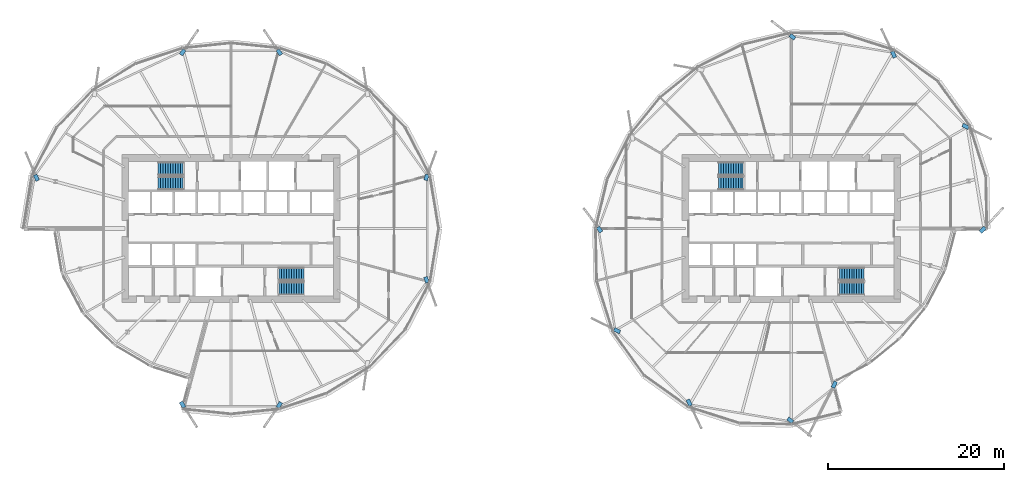
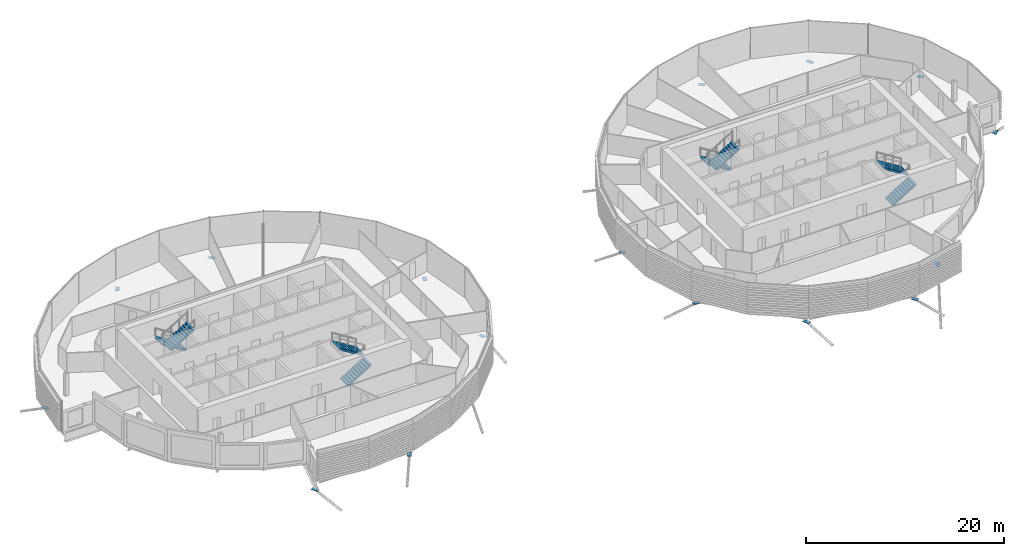
# One storey, part 26 of 39: 16 discrete accessories, 8 stair flights, 4 elements without a shape of their own.
"""IFC4 building model written with IfcOpenShell, lengths in metres."""

from ifc_helpers import new_model, si_unit, direction, frame, origin, origin_2d, place, context, subcontext, project, spatial, polyline, rectangle, outline, extrude, material, material_profile, profile_set, type_object, element, aggregate, save


model = new_model("IFC4")

# Units and contexts
model_context = context("Model", 3, precision=1e-05, world=origin(), true_north=direction((0.0, 1.0)))
body_context = subcontext(model_context, "Body", "Model", "MODEL_VIEW")
ifc_project = project(units=[si_unit("LENGTHUNIT", "METRE"), si_unit("AREAUNIT", "SQUARE_METRE"), si_unit("VOLUMEUNIT", "CUBIC_METRE"), si_unit("PLANEANGLEUNIT", "RADIAN"), si_unit("MASSUNIT", "GRAM", prefix="KILO")], contexts=[model_context])

# Site, building, storey
site_placement = place(None, origin())
site = spatial("IfcSite", under=ifc_project, at=site_placement, CompositionType="ELEMENT")
building_placement = place(site_placement, origin())
building = spatial("IfcBuilding", under=site, at=building_placement, Name="Rimbun Link Towers", CompositionType="ELEMENT")
storey_placement = place(building_placement, frame((0.0, 0.0, 100.60009765625)))
storey = spatial("IfcBuildingStorey", under=building, at=storey_placement, Name="L24", CompositionType="ELEMENT", Elevation=100.60009765625)

# Stair, stair flights
ifc_material_1 = material(Name="Concrete C40/50", Category="concrete")
stair_type = type_object("IfcStairType", Name="Exit stair 3800 rise", PredefinedType="HALF_TURN_STAIR", material=ifc_material_1)
stair_1_placement = place(storey_placement, origin())
stair_1 = element("IfcStair", 1, at=stair_1_placement, inside=storey, type_object=stair_type, Name="L24 EXIT STAIR A", PredefinedType="HALF_TURN_STAIR")
ifc_material_2 = material(Name="Concrete C40/50", Category="concrete")
stair_flight_type = type_object("IfcStairFlightType", Name="Exit stair flight 3800 rise", PredefinedType="STRAIGHT", material=ifc_material_2)
stair_flight_1_placement = place(storey_placement, frame((-37.199951171875, 6.800048828125, 0.0), z_axis=(0.0, 0.0, 1.0), x_axis=(-1.0, 0.0, 0.0)))
stair_flight_1 = element("IfcStairFlight", 2, at=stair_flight_1_placement, type_object=stair_flight_type, Name="ST1 flight 1", NumberOfRisers=11, NumberOfTreads=10, PredefinedType="STRAIGHT", RiserHeight=0.172727273, TreadLength=0.28, context=body_context, shape_type="SweptSolid", body=[
    extrude(outline(polyline([(0.0, 0.0), (0.0, 0.172607421875), (0.280029296875, 0.172607421875), (0.280029296875, 0.345458984375), (0.56005859375, 0.345458984375), (0.56005859375, 0.51806640625), (0.840087890625, 0.51806640625), (0.840087890625, 0.69091796875), (1.1201171875, 0.69091796875), (1.1201171875, 0.863525390625), (1.39990234375, 0.863525390625), (1.39990234375, 1.036376953125), (1.679931640625, 1.036376953125), (1.679931640625, 1.208984375), (1.9599609375, 1.208984375), (1.9599609375, 1.3818359375), (2.239990234375, 1.3818359375), (2.239990234375, 1.554443359375), (2.52001953125, 1.554443359375), (2.52001953125, 1.727294921875), (2.800048828125, 1.727294921875), (2.800048828125, 1.89990234375), (2.800048828125, 1.551025390625), (0.280029296875, 0.0), (0.0, 0.0)])), frame((0.0, 0.75, 0.0), z_axis=(0.0, -1.0, 0.0), x_axis=(1.0, 0.0, 0.0)), (0.0, 0.0, 1.0), 1.5),
])
stair_flight_2_placement = place(storey_placement, frame((-40.0, 5.14990234375, 1.89990234375), z_axis=(0.0, 0.0, 1.0), x_axis=(1.0, 0.0, 0.0)))
stair_flight_2 = element("IfcStairFlight", 3, at=stair_flight_2_placement, type_object=stair_flight_type, Name="ST1 flight 2", NumberOfRisers=11, NumberOfTreads=10, PredefinedType="STRAIGHT", RiserHeight=0.172727273, TreadLength=0.28, context=body_context, shape_type="SweptSolid", body=[
    extrude(outline(polyline([(0.0, 0.0), (0.0, 0.172607421875), (0.280029296875, 0.172607421875), (0.280029296875, 0.345458984375), (0.56005859375, 0.345458984375), (0.56005859375, 0.51806640625), (0.840087890625, 0.51806640625), (0.840087890625, 0.69091796875), (1.1201171875, 0.69091796875), (1.1201171875, 0.863525390625), (1.39990234375, 0.863525390625), (1.39990234375, 1.036376953125), (1.679931640625, 1.036376953125), (1.679931640625, 1.208984375), (1.9599609375, 1.208984375), (1.9599609375, 1.3818359375), (2.239990234375, 1.3818359375), (2.239990234375, 1.554443359375), (2.52001953125, 1.554443359375), (2.52001953125, 1.727294921875), (2.800048828125, 1.727294921875), (2.800048828125, 1.89990234375), (2.800048828125, 1.551025390625), (0.280029296875, 0.0), (0.0, 0.0)])), frame((0.0, 0.75, 0.0), z_axis=(0.0, -1.0, 0.0), x_axis=(1.0, 0.0, 0.0)), (0.0, 0.0, 1.0), 1.5),
])
aggregate(stair_1, [stair_flight_1, stair_flight_2])

stair_2_placement = place(storey_placement, origin())
stair_2 = element("IfcStair", 4, at=stair_2_placement, inside=storey, type_object=stair_type, Name="L24 EXIT STAIR B", PredefinedType="HALF_TURN_STAIR")
stair_flight_3_placement = place(storey_placement, frame((-26.300048828125, -6.800048828125, 0.0), z_axis=(0.0, 0.0, 1.0), x_axis=(1.0, 0.0, 0.0)))
stair_flight_3 = element("IfcStairFlight", 5, at=stair_flight_3_placement, type_object=stair_flight_type, Name="ST2 flight 1", NumberOfRisers=11, NumberOfTreads=10, PredefinedType="STRAIGHT", RiserHeight=0.172727273, TreadLength=0.28, context=body_context, shape_type="SweptSolid", body=[
    extrude(outline(polyline([(0.0, 0.0), (0.0, 0.172607421875), (0.280029296875, 0.172607421875), (0.280029296875, 0.345458984375), (0.56005859375, 0.345458984375), (0.56005859375, 0.51806640625), (0.840087890625, 0.51806640625), (0.840087890625, 0.69091796875), (1.1201171875, 0.69091796875), (1.1201171875, 0.863525390625), (1.39990234375, 0.863525390625), (1.39990234375, 1.036376953125), (1.679931640625, 1.036376953125), (1.679931640625, 1.208984375), (1.9599609375, 1.208984375), (1.9599609375, 1.3818359375), (2.239990234375, 1.3818359375), (2.239990234375, 1.554443359375), (2.52001953125, 1.554443359375), (2.52001953125, 1.727294921875), (2.800048828125, 1.727294921875), (2.800048828125, 1.89990234375), (2.800048828125, 1.551025390625), (0.280029296875, 0.0), (0.0, 0.0)])), frame((0.0, 0.75, 0.0), z_axis=(0.0, -1.0, 0.0), x_axis=(1.0, 0.0, 0.0)), (0.0, 0.0, 1.0), 1.5),
])
stair_flight_4_placement = place(storey_placement, frame((-23.5, -5.14990234375, 1.89990234375), z_axis=(0.0, 0.0, 1.0), x_axis=(-1.0, 0.0, 0.0)))
stair_flight_4 = element("IfcStairFlight", 6, at=stair_flight_4_placement, type_object=stair_flight_type, Name="ST2 flight 2", NumberOfRisers=11, NumberOfTreads=10, PredefinedType="STRAIGHT", RiserHeight=0.172727273, TreadLength=0.28, context=body_context, shape_type="SweptSolid", body=[
    extrude(outline(polyline([(0.0, 0.0), (0.0, 0.172607421875), (0.280029296875, 0.172607421875), (0.280029296875, 0.345458984375), (0.56005859375, 0.345458984375), (0.56005859375, 0.51806640625), (0.840087890625, 0.51806640625), (0.840087890625, 0.69091796875), (1.1201171875, 0.69091796875), (1.1201171875, 0.863525390625), (1.39990234375, 0.863525390625), (1.39990234375, 1.036376953125), (1.679931640625, 1.036376953125), (1.679931640625, 1.208984375), (1.9599609375, 1.208984375), (1.9599609375, 1.3818359375), (2.239990234375, 1.3818359375), (2.239990234375, 1.554443359375), (2.52001953125, 1.554443359375), (2.52001953125, 1.727294921875), (2.800048828125, 1.727294921875), (2.800048828125, 1.89990234375), (2.800048828125, 1.551025390625), (0.280029296875, 0.0), (0.0, 0.0)])), frame((0.0, 0.75, 0.0), z_axis=(0.0, -1.0, 0.0), x_axis=(1.0, 0.0, 0.0)), (0.0, 0.0, 1.0), 1.5),
])
aggregate(stair_2, [stair_flight_3, stair_flight_4])

stair_3_placement = place(storey_placement, origin())
stair_3 = element("IfcStair", 7, at=stair_3_placement, inside=storey, type_object=stair_type, Name="L24 EXIT STAIR A", PredefinedType="HALF_TURN_STAIR")
stair_flight_5_placement = place(storey_placement, frame((26.300048828125, 6.800048828125, 0.0), z_axis=(0.0, 0.0, 1.0), x_axis=(-1.0, 0.0, 0.0)))
stair_flight_5 = element("IfcStairFlight", 8, at=stair_flight_5_placement, type_object=stair_flight_type, Name="ST3 flight 1", NumberOfRisers=11, NumberOfTreads=10, PredefinedType="STRAIGHT", RiserHeight=0.172727273, TreadLength=0.28, context=body_context, shape_type="SweptSolid", body=[
    extrude(outline(polyline([(0.0, 0.0), (0.0, 0.172607421875), (0.280029296875, 0.172607421875), (0.280029296875, 0.345458984375), (0.56005859375, 0.345458984375), (0.56005859375, 0.51806640625), (0.840087890625, 0.51806640625), (0.840087890625, 0.69091796875), (1.1201171875, 0.69091796875), (1.1201171875, 0.863525390625), (1.39990234375, 0.863525390625), (1.39990234375, 1.036376953125), (1.679931640625, 1.036376953125), (1.679931640625, 1.208984375), (1.9599609375, 1.208984375), (1.9599609375, 1.3818359375), (2.239990234375, 1.3818359375), (2.239990234375, 1.554443359375), (2.52001953125, 1.554443359375), (2.52001953125, 1.727294921875), (2.800048828125, 1.727294921875), (2.800048828125, 1.89990234375), (2.800048828125, 1.551025390625), (0.280029296875, 0.0), (0.0, 0.0)])), frame((0.0, 0.75, 0.0), z_axis=(0.0, -1.0, 0.0), x_axis=(1.0, 0.0, 0.0)), (0.0, 0.0, 1.0), 1.5),
])
stair_flight_6_placement = place(storey_placement, frame((23.5, 5.14990234375, 1.89990234375), z_axis=(0.0, 0.0, 1.0), x_axis=(1.0, 0.0, 0.0)))
stair_flight_6 = element("IfcStairFlight", 9, at=stair_flight_6_placement, type_object=stair_flight_type, Name="ST3 flight 2", NumberOfRisers=11, NumberOfTreads=10, PredefinedType="STRAIGHT", RiserHeight=0.172727273, TreadLength=0.28, context=body_context, shape_type="SweptSolid", body=[
    extrude(outline(polyline([(0.0, 0.0), (0.0, 0.172607421875), (0.280029296875, 0.172607421875), (0.280029296875, 0.345458984375), (0.56005859375, 0.345458984375), (0.56005859375, 0.51806640625), (0.840087890625, 0.51806640625), (0.840087890625, 0.69091796875), (1.1201171875, 0.69091796875), (1.1201171875, 0.863525390625), (1.39990234375, 0.863525390625), (1.39990234375, 1.036376953125), (1.679931640625, 1.036376953125), (1.679931640625, 1.208984375), (1.9599609375, 1.208984375), (1.9599609375, 1.3818359375), (2.239990234375, 1.3818359375), (2.239990234375, 1.554443359375), (2.52001953125, 1.554443359375), (2.52001953125, 1.727294921875), (2.800048828125, 1.727294921875), (2.800048828125, 1.89990234375), (2.800048828125, 1.551025390625), (0.280029296875, 0.0), (0.0, 0.0)])), frame((0.0, 0.75, 0.0), z_axis=(0.0, -1.0, 0.0), x_axis=(1.0, 0.0, 0.0)), (0.0, 0.0, 1.0), 1.5),
])
aggregate(stair_3, [stair_flight_5, stair_flight_6])

stair_4_placement = place(storey_placement, origin())
stair_4 = element("IfcStair", 10, at=stair_4_placement, inside=storey, type_object=stair_type, Name="L24 EXIT STAIR B", PredefinedType="HALF_TURN_STAIR")
stair_flight_7_placement = place(storey_placement, frame((37.199951171875, -6.800048828125, 0.0), z_axis=(0.0, 0.0, 1.0), x_axis=(1.0, 0.0, 0.0)))
stair_flight_7 = element("IfcStairFlight", 11, at=stair_flight_7_placement, type_object=stair_flight_type, Name="ST4 flight 1", NumberOfRisers=11, NumberOfTreads=10, PredefinedType="STRAIGHT", RiserHeight=0.172727273, TreadLength=0.28, context=body_context, shape_type="SweptSolid", body=[
    extrude(outline(polyline([(0.0, 0.0), (0.0, 0.172607421875), (0.280029296875, 0.172607421875), (0.280029296875, 0.345458984375), (0.56005859375, 0.345458984375), (0.56005859375, 0.51806640625), (0.840087890625, 0.51806640625), (0.840087890625, 0.69091796875), (1.1201171875, 0.69091796875), (1.1201171875, 0.863525390625), (1.39990234375, 0.863525390625), (1.39990234375, 1.036376953125), (1.679931640625, 1.036376953125), (1.679931640625, 1.208984375), (1.9599609375, 1.208984375), (1.9599609375, 1.3818359375), (2.239990234375, 1.3818359375), (2.239990234375, 1.554443359375), (2.52001953125, 1.554443359375), (2.52001953125, 1.727294921875), (2.800048828125, 1.727294921875), (2.800048828125, 1.89990234375), (2.800048828125, 1.551025390625), (0.280029296875, 0.0), (0.0, 0.0)])), frame((0.0, 0.75, 0.0), z_axis=(0.0, -1.0, 0.0), x_axis=(1.0, 0.0, 0.0)), (0.0, 0.0, 1.0), 1.5),
])
stair_flight_8_placement = place(storey_placement, frame((40.0, -5.14990234375, 1.89990234375), z_axis=(0.0, 0.0, 1.0), x_axis=(-1.0, 0.0, 0.0)))
stair_flight_8 = element("IfcStairFlight", 12, at=stair_flight_8_placement, type_object=stair_flight_type, Name="ST4 flight 2", NumberOfRisers=11, NumberOfTreads=10, PredefinedType="STRAIGHT", RiserHeight=0.172727273, TreadLength=0.28, context=body_context, shape_type="SweptSolid", body=[
    extrude(outline(polyline([(0.0, 0.0), (0.0, 0.172607421875), (0.280029296875, 0.172607421875), (0.280029296875, 0.345458984375), (0.56005859375, 0.345458984375), (0.56005859375, 0.51806640625), (0.840087890625, 0.51806640625), (0.840087890625, 0.69091796875), (1.1201171875, 0.69091796875), (1.1201171875, 0.863525390625), (1.39990234375, 0.863525390625), (1.39990234375, 1.036376953125), (1.679931640625, 1.036376953125), (1.679931640625, 1.208984375), (1.9599609375, 1.208984375), (1.9599609375, 1.3818359375), (2.239990234375, 1.3818359375), (2.239990234375, 1.554443359375), (2.52001953125, 1.554443359375), (2.52001953125, 1.727294921875), (2.800048828125, 1.727294921875), (2.800048828125, 1.89990234375), (2.800048828125, 1.551025390625), (0.280029296875, 0.0), (0.0, 0.0)])), frame((0.0, 0.75, 0.0), z_axis=(0.0, -1.0, 0.0), x_axis=(1.0, 0.0, 0.0)), (0.0, 0.0, 1.0), 1.5),
])
aggregate(stair_4, [stair_flight_7, stair_flight_8])

# Discrete accessories
ifc_material_3 = material(Name="Steel S355J2H", Category="steel")
ifc_material_profile = material_profile(ifc_material_3, rectangle(XDim=0.43310546875, YDim=0.43310546875, at=origin_2d()), Name="PL 433x433")
ifc_profile_set = profile_set([ifc_material_profile], Name="Steel S355J2H")
discrete_accessory_type = type_object("IfcDiscreteAccessoryType", Name="Link head end plate 433X20", PredefinedType="BRACKET", material=ifc_profile_set)
discrete_accessory_1_placement = place(storey_placement, frame((0.0, 0.0, -0.713134765625)))
element("IfcDiscreteAccessory", 13, at=discrete_accessory_1_placement, inside=storey, type_object=discrete_accessory_type, Name="Link head end plate T1 L24 01", PredefinedType="BRACKET", context=body_context, shape_type="SweptSolid", body=[
    extrude(outline(polyline([(-9.51220703125, 5.4072265625), (-9.276123046875, 6.0478515625), (-9.682373046875, 6.197509765625), (-9.91845703125, 5.556884765625), (-9.51220703125, 5.4072265625)])), origin(), (0.0, 0.0, 1.0), 0.02001953125),
])
discrete_accessory_2_placement = place(storey_placement, frame((0.0, 0.0, -0.863525390625)))
element("IfcDiscreteAccessory", 14, at=discrete_accessory_2_placement, inside=storey, type_object=discrete_accessory_type, Name="Link head end plate T1 L24 05", PredefinedType="BRACKET", context=body_context, shape_type="SweptSolid", body=[
    extrude(outline(polyline([(-25.896240234375, 19.814697265625), (-26.287841796875, 20.38232421875), (-26.644287109375, 20.13671875), (-26.252685546875, 19.56884765625), (-25.896240234375, 19.814697265625)])), origin(), (0.0, 0.0, 1.0), 0.02001953125),
])
discrete_accessory_3_placement = place(storey_placement, frame((0.0, 0.0, -0.863525390625)))
element("IfcDiscreteAccessory", 15, at=discrete_accessory_3_placement, inside=storey, type_object=discrete_accessory_type, Name="Link head end plate T1 L24 07", PredefinedType="BRACKET", context=body_context, shape_type="SweptSolid", body=[
    extrude(outline(polyline([(-37.247314453125, 19.56884765625), (-36.855712890625, 20.13671875), (-37.212158203125, 20.38232421875), (-37.603759765625, 19.814697265625), (-37.247314453125, 19.56884765625)])), origin(), (0.0, 0.0, 1.0), 0.02001953125),
])
discrete_accessory_4_placement = place(storey_placement, frame((0.0, 0.0, -1.098388671875)))
element("IfcDiscreteAccessory", 16, at=discrete_accessory_4_placement, inside=storey, type_object=discrete_accessory_type, Name="Link head end plate T1 L24 11", PredefinedType="BRACKET", context=body_context, shape_type="SweptSolid", body=[
    extrude(outline(polyline([(-53.459716796875, 5.5146484375), (-53.74169921875, 6.17919921875), (-54.140380859375, 6.010009765625), (-53.8583984375, 5.345703125), (-53.459716796875, 5.5146484375)])), origin(), (0.0, 0.0, 1.0), 0.019775390625),
])
discrete_accessory_5_placement = place(storey_placement, frame((0.0, 0.0, -1.380126953125)))
element("IfcDiscreteAccessory", 17, at=discrete_accessory_5_placement, inside=storey, type_object=discrete_accessory_type, Name="Link head end plate T1 L24 17", PredefinedType="BRACKET", context=body_context, shape_type="SweptSolid", body=[
    extrude(outline(polyline([(-37.62109375, -19.755859375), (-37.222412109375, -20.378173828125), (-36.85791015625, -20.144775390625), (-37.256591796875, -19.522216796875), (-37.62109375, -19.755859375)])), origin(), (0.0, 0.0, 1.0), 0.02001953125),
])
discrete_accessory_6_placement = place(storey_placement, frame((0.0, 0.0, -0.863525390625)))
element("IfcDiscreteAccessory", 18, at=discrete_accessory_6_placement, inside=storey, type_object=discrete_accessory_type, Name="Link head end plate T1 L24 19", PredefinedType="BRACKET", context=body_context, shape_type="SweptSolid", body=[
    extrude(outline(polyline([(-26.252685546875, -19.56884765625), (-26.644287109375, -20.13671875), (-26.287841796875, -20.38232421875), (-25.896240234375, -19.814697265625), (-26.252685546875, -19.56884765625)])), origin(), (0.0, 0.0, 1.0), 0.02001953125),
])
discrete_accessory_7_placement = place(storey_placement, frame((0.0, 0.0, -0.713134765625)))
element("IfcDiscreteAccessory", 19, at=discrete_accessory_7_placement, inside=storey, type_object=discrete_accessory_type, Name="Link head end plate T1 L24 23", PredefinedType="BRACKET", context=body_context, shape_type="SweptSolid", body=[
    extrude(outline(polyline([(-9.91845703125, -5.556884765625), (-9.682373046875, -6.197509765625), (-9.276123046875, -6.0478515625), (-9.51220703125, -5.4072265625), (-9.91845703125, -5.556884765625)])), origin(), (0.0, 0.0, 1.0), 0.02001953125),
])
discrete_accessory_8_placement = place(storey_placement, frame((0.0, 0.0, -0.9423828125)))
element("IfcDiscreteAccessory", 20, at=discrete_accessory_8_placement, inside=storey, type_object=discrete_accessory_type, Name="Link head end plate T2 L24 01", PredefinedType="BRACKET", context=body_context, shape_type="SweptSolid", body=[
    extrude(outline(polyline([(43.689697265625, 19.479736328125), (43.36328125, 20.1669921875), (42.97216796875, 19.98095703125), (43.298583984375, 19.2939453125), (43.689697265625, 19.479736328125)])), origin(), (0.0, 0.0, 1.0), 0.02001953125),
])
discrete_accessory_9_placement = place(storey_placement, frame((0.0, 0.0, -0.9423828125)))
element("IfcDiscreteAccessory", 21, at=discrete_accessory_9_placement, inside=storey, type_object=discrete_accessory_type, Name="Link head end plate T2 L24 03", PredefinedType="BRACKET", context=body_context, shape_type="SweptSolid", body=[
    extrude(outline(polyline([(32.28125, 21.688720703125), (31.7353515625, 22.10546875), (31.47265625, 21.76123046875), (32.0185546875, 21.344482421875), (32.28125, 21.688720703125)])), origin(), (0.0, 0.0, 1.0), 0.02001953125),
])
discrete_accessory_10_placement = place(storey_placement, frame((0.0, 0.0, -0.713134765625)))
element("IfcDiscreteAccessory", 22, at=discrete_accessory_10_placement, inside=storey, type_object=discrete_accessory_type, Name="Link head end plate T2 L24 09", PredefinedType="BRACKET", context=body_context, shape_type="SweptSolid", body=[
    extrude(outline(polyline([(10.39013671875, -0.26123046875), (9.992431640625, 0.277099609375), (9.644287109375, 0.019775390625), (10.0419921875, -0.5185546875), (10.39013671875, -0.26123046875)])), origin(), (0.0, 0.0, 1.0), 0.02001953125),
])
discrete_accessory_11_placement = place(storey_placement, frame((0.0, 0.0, -0.713134765625)))
element("IfcDiscreteAccessory", 23, at=discrete_accessory_11_placement, inside=storey, type_object=discrete_accessory_type, Name="Link head end plate T2 L24 11", PredefinedType="BRACKET", context=body_context, shape_type="SweptSolid", body=[
    extrude(outline(polyline([(12.432861328125, -11.546630859375), (11.7724609375, -11.220947265625), (11.580810546875, -11.609130859375), (12.2412109375, -11.93505859375), (12.432861328125, -11.546630859375)])), origin(), (0.0, 0.0, 1.0), 0.02001953125),
])
discrete_accessory_12_placement = place(storey_placement, frame((0.0, 0.0, -0.9423828125)))
element("IfcDiscreteAccessory", 24, at=discrete_accessory_12_placement, inside=storey, type_object=discrete_accessory_type, Name="Link head end plate T2 L24 13", PredefinedType="BRACKET", context=body_context, shape_type="SweptSolid", body=[
    extrude(outline(polyline([(19.810302734375, -19.479736328125), (20.13671875, -20.1669921875), (20.52783203125, -19.98095703125), (20.201416015625, -19.2939453125), (19.810302734375, -19.479736328125)])), origin(), (0.0, 0.0, 1.0), 0.02001953125),
])
discrete_accessory_13_placement = place(storey_placement, frame((0.0, 0.0, -0.9423828125)))
element("IfcDiscreteAccessory", 25, at=discrete_accessory_13_placement, inside=storey, type_object=discrete_accessory_type, Name="Link head end plate T2 L24 15", PredefinedType="BRACKET", context=body_context, shape_type="SweptSolid", body=[
    extrude(outline(polyline([(31.21875, -21.688720703125), (31.7646484375, -22.10546875), (32.02734375, -21.76123046875), (31.4814453125, -21.344482421875), (31.21875, -21.688720703125)])), origin(), (0.0, 0.0, 1.0), 0.02001953125),
])
discrete_accessory_14_placement = place(storey_placement, frame((0.0, 0.0, -0.863525390625)))
element("IfcDiscreteAccessory", 26, at=discrete_accessory_14_placement, inside=storey, type_object=discrete_accessory_type, Name="Link head end plate T2 L24 16", PredefinedType="BRACKET", context=body_context, shape_type="SweptSolid", body=[
    extrude(outline(polyline([(36.60693359375, -17.252685546875), (36.261962890625, -17.923583984375), (36.64697265625, -18.12158203125), (36.991943359375, -17.45068359375), (36.60693359375, -17.252685546875)])), origin(), (0.0, 0.0, 1.0), 0.02001953125),
])
discrete_accessory_15_placement = place(storey_placement, frame((0.0, 0.0, -1.098388671875)))
element("IfcDiscreteAccessory", 27, at=discrete_accessory_15_placement, inside=storey, type_object=discrete_accessory_type, Name="Link head end plate T2 L24 21", PredefinedType="BRACKET", context=body_context, shape_type="SweptSolid", body=[
    extrude(outline(polyline([(53.340087890625, -0.568115234375), (53.853515625, -0.014892578125), (53.536376953125, 0.27978515625), (53.022705078125, -0.2734375), (53.340087890625, -0.568115234375)])), origin(), (0.0, 0.0, 1.0), 0.019775390625),
])
discrete_accessory_16_placement = place(storey_placement, frame((0.0, 0.0, -0.713134765625)))
element("IfcDiscreteAccessory", 28, at=discrete_accessory_16_placement, inside=storey, type_object=discrete_accessory_type, Name="Link head end plate T2 L24 23", PredefinedType="BRACKET", context=body_context, shape_type="SweptSolid", body=[
    extrude(outline(polyline([(51.067138671875, 11.546630859375), (51.7275390625, 11.220947265625), (51.919189453125, 11.609130859375), (51.2587890625, 11.93505859375), (51.067138671875, 11.546630859375)])), origin(), (0.0, 0.0, 1.0), 0.02001953125),
])

save(model, "model.ifc")
